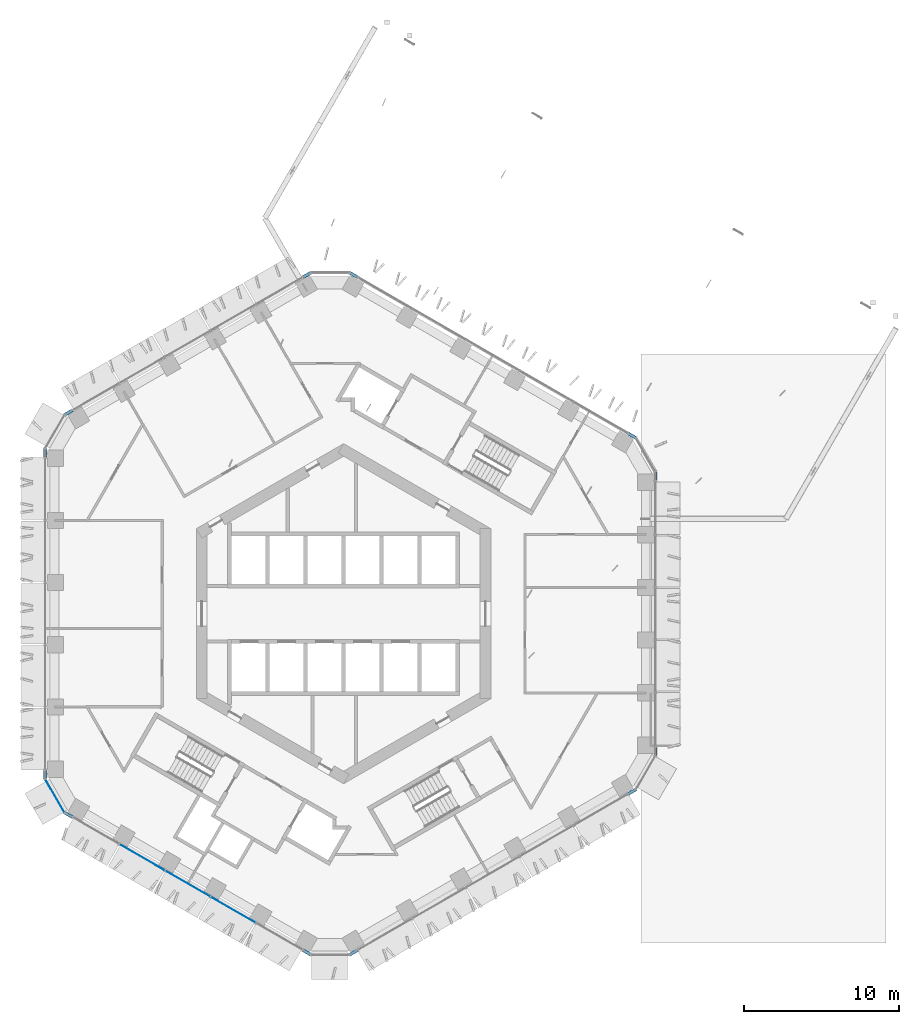
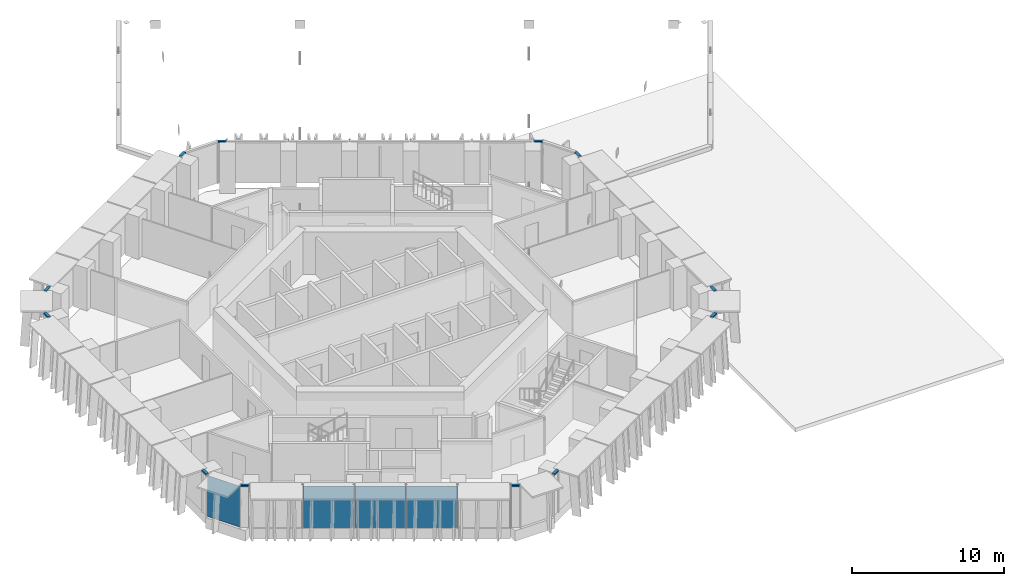
# One storey, part 8 of 25: 12 members, 4 plates, 7 elements without a shape of their own.
"""IFC4 building model written with IfcOpenShell, lengths in metres."""

from ifc_helpers import new_model, si_unit, direction, frame, origin, origin_2d, place, context, subcontext, project, spatial, rectangle, extrude, material, layer, layer_set, material_profile, profile_set, type_object, element, aggregate, save


model = new_model("IFC4")

# Units and contexts
model_context = context("Model", 3, precision=1e-05, world=origin(), true_north=direction((0.0, 1.0)))
body_context = subcontext(model_context, "Body", "Model", "MODEL_VIEW")
ifc_project = project(units=[si_unit("LENGTHUNIT", "METRE"), si_unit("AREAUNIT", "SQUARE_METRE"), si_unit("VOLUMEUNIT", "CUBIC_METRE"), si_unit("PLANEANGLEUNIT", "RADIAN"), si_unit("MASSUNIT", "GRAM", prefix="KILO")], contexts=[model_context])

# Site, building, storey
site_placement = place(None, origin())
site = spatial("IfcSite", under=ifc_project, at=site_placement, CompositionType="ELEMENT")
building_placement = place(site_placement, origin())
building = spatial("IfcBuilding", under=site, at=building_placement, Name="Ayvan Gate Tower", CompositionType="ELEMENT")
storey_placement = place(building_placement, frame((0.0, 0.0, 132.5)))
storey = spatial("IfcBuildingStorey", under=building, at=storey_placement, Name="L35", CompositionType="ELEMENT", Elevation=132.5)

# Curtain wall, members
ifc_material_1 = material(Name="Bronze anodised aluminium", Category="aluminium")
ifc_layer_1 = layer(ifc_material_1, 0.199951171875)
ifc_layer_set_1 = layer_set([ifc_layer_1], Name="Bronze anodised aluminium")
curtain_wall_type_1 = type_object("IfcCurtainWallType", Name="Stick curtain wall CW-6", PredefinedType="NOTDEFINED", material=ifc_layer_set_1)
curtain_wall_1_placement = place(storey_placement, origin())
curtain_wall_1 = element("IfcCurtainWall", 1, at=curtain_wall_1_placement, inside=storey, type_object=curtain_wall_type_1, Name="Stick curtain wall CW-6 L35", PredefinedType="NOTDEFINED")
ifc_material_profile = material_profile(ifc_material_1, rectangle(XDim=0.199951171875, YDim=0.1201171875, at=origin_2d()), Name="Stick curtain wall CW-6 transom 200 x 120")
ifc_profile_set = profile_set([ifc_material_profile], Name="Bronze anodised aluminium")
member_type = type_object("IfcMemberType", Name="Stick curtain wall CW-6 transom 200 x 120", PredefinedType="USERDEFINED", material=ifc_profile_set)
member_1_placement = place(storey_placement, frame((-17.507080078125, 13.114013671875, 3.340087890625), z_axis=(-0.865912065108, -0.500196256984, 0.0), x_axis=(0.500196256984, -0.865912065108, 0.0)))
member_1 = element("IfcMember", 2, at=member_1_placement, type_object=member_type, Name="CW-6 transom 1", ObjectType="TRANSOM", PredefinedType="USERDEFINED", context=body_context, shape_type="SweptSolid", body=[
    extrude(rectangle(XDim=0.199951171875, YDim=0.1201171875, at=origin_2d()), origin(), (0.0, 0.0, 1.0), 0.550048828125),
])
member_2_placement = place(storey_placement, frame((-19.248291015625, 10.64794921875, 3.340087890625), z_axis=(0.0, -1.0, 0.0), x_axis=(1.0, 0.0, 0.0)))
member_2 = element("IfcMember", 3, at=member_2_placement, type_object=member_type, Name="CW-6 transom 2", ObjectType="TRANSOM", PredefinedType="USERDEFINED", context=body_context, shape_type="SweptSolid", body=[
    extrude(rectangle(XDim=0.199951171875, YDim=0.1201171875, at=origin_2d()), origin(), (0.0, 0.0, 1.0), 0.5498046875),
])
aggregate(curtain_wall_1, [member_1, member_2])

curtain_wall_2_placement = place(storey_placement, origin())
curtain_wall_2 = element("IfcCurtainWall", 4, at=curtain_wall_2_placement, inside=storey, type_object=curtain_wall_type_1, Name="Stick curtain wall CW-6 L35", PredefinedType="NOTDEFINED")
member_3_placement = place(storey_placement, frame((-19.248291015625, -10.09814453125, 3.340087890625), z_axis=(0.0, -1.0, 0.0), x_axis=(1.0, 0.0, 0.0)))
member_3 = element("IfcMember", 5, at=member_3_placement, type_object=member_type, Name="CW-6 transom 1", ObjectType="TRANSOM", PredefinedType="USERDEFINED", context=body_context, shape_type="SweptSolid", body=[
    extrude(rectangle(XDim=0.199951171875, YDim=0.1201171875, at=origin_2d()), origin(), (0.0, 0.0, 1.0), 0.5498046875),
])
member_4_placement = place(storey_placement, frame((-17.9833984375, -12.8388671875, 3.340087890625), z_axis=(0.865912065108, -0.500196256984, 0.0), x_axis=(0.500196256984, 0.865912065108, 0.0)))
member_4 = element("IfcMember", 6, at=member_4_placement, type_object=member_type, Name="CW-6 transom 2", ObjectType="TRANSOM", PredefinedType="USERDEFINED", context=body_context, shape_type="SweptSolid", body=[
    extrude(rectangle(XDim=0.199951171875, YDim=0.1201171875, at=origin_2d()), origin(), (0.0, 0.0, 1.0), 0.550048828125),
])

curtain_wall_3_placement = place(storey_placement, origin())
curtain_wall_3 = element("IfcCurtainWall", 7, at=curtain_wall_3_placement, inside=storey, type_object=curtain_wall_type_1, Name="Stick curtain wall CW-6 L35", PredefinedType="NOTDEFINED")
member_5_placement = place(storey_placement, frame((-2.603515625, -21.718505859375, 3.340087890625), z_axis=(0.865912065108, -0.500196256984, 0.0), x_axis=(0.500196256984, 0.865912065108, 0.0)))
member_5 = element("IfcMember", 8, at=member_5_placement, type_object=member_type, Name="CW-6 transom 1", ObjectType="TRANSOM", PredefinedType="USERDEFINED", context=body_context, shape_type="SweptSolid", body=[
    extrude(rectangle(XDim=0.199951171875, YDim=0.1201171875, at=origin_2d()), origin(), (0.0, 0.0, 1.0), 0.550048828125),
])
member_6_placement = place(storey_placement, frame((0.402587890625, -21.99365234375, 3.340087890625), z_axis=(0.865912065108, 0.500196256984, 0.0), x_axis=(-0.500196256984, 0.865912065108, 0.0)))
member_6 = element("IfcMember", 9, at=member_6_placement, type_object=member_type, Name="CW-6 transom 2", ObjectType="TRANSOM", PredefinedType="USERDEFINED", context=body_context, shape_type="SweptSolid", body=[
    extrude(rectangle(XDim=0.199951171875, YDim=0.1201171875, at=origin_2d()), origin(), (0.0, 0.0, 1.0), 0.550048828125),
])
aggregate(curtain_wall_3, [member_5, member_6])

curtain_wall_4_placement = place(storey_placement, origin())
curtain_wall_4 = element("IfcCurtainWall", 10, at=curtain_wall_4_placement, inside=storey, type_object=curtain_wall_type_1, Name="Stick curtain wall CW-6 L35", PredefinedType="NOTDEFINED")
member_7_placement = place(storey_placement, frame((18.369384765625, -11.620361328125, 3.340087890625), z_axis=(0.866104278045, 0.499863360881, 0.0), x_axis=(-0.499863360881, 0.866104278045, 0.0)))
member_7 = element("IfcMember", 11, at=member_7_placement, type_object=member_type, Name="CW-6 transom 1", ObjectType="TRANSOM", PredefinedType="USERDEFINED", context=body_context, shape_type="SweptSolid", body=[
    extrude(rectangle(XDim=0.199951171875, YDim=0.1201171875, at=origin_2d()), origin(), (0.0, 0.0, 1.0), 0.550048828125),
])
member_8_placement = place(storey_placement, frame((20.110595703125, -9.154541015625, 3.340087890625), z_axis=(0.0, 1.0, 0.0), x_axis=(-1.0, 0.0, 0.0)))
member_8 = element("IfcMember", 12, at=member_8_placement, type_object=member_type, Name="CW-6 transom 2", ObjectType="TRANSOM", PredefinedType="USERDEFINED", context=body_context, shape_type="SweptSolid", body=[
    extrude(rectangle(XDim=0.199951171875, YDim=0.1201171875, at=origin_2d()), origin(), (0.0, 0.0, 1.0), 0.550048828125),
])
aggregate(curtain_wall_4, [member_7, member_8])

curtain_wall_5_placement = place(storey_placement, origin())
curtain_wall_5 = element("IfcCurtainWall", 13, at=curtain_wall_5_placement, inside=storey, type_object=curtain_wall_type_1, Name="Stick curtain wall CW-6 L35", PredefinedType="NOTDEFINED")
member_9_placement = place(storey_placement, frame((20.110595703125, 8.6044921875, 3.340087890625), z_axis=(0.0, 1.0, 0.0), x_axis=(-1.0, 0.0, 0.0)))
member_9 = element("IfcMember", 14, at=member_9_placement, type_object=member_type, Name="CW-6 transom 1", ObjectType="TRANSOM", PredefinedType="USERDEFINED", context=body_context, shape_type="SweptSolid", body=[
    extrude(rectangle(XDim=0.199951171875, YDim=0.1201171875, at=origin_2d()), origin(), (0.0, 0.0, 1.0), 0.550048828125),
])
member_10_placement = place(storey_placement, frame((18.845703125, 11.345458984375, 3.340087890625), z_axis=(-0.866104278045, 0.499863360881, 0.0), x_axis=(-0.499863360881, -0.866104278045, 0.0)))
member_10 = element("IfcMember", 15, at=member_10_placement, type_object=member_type, Name="CW-6 transom 3", ObjectType="TRANSOM", PredefinedType="USERDEFINED", context=body_context, shape_type="SweptSolid", body=[
    extrude(rectangle(XDim=0.199951171875, YDim=0.1201171875, at=origin_2d()), origin(), (0.0, 0.0, 1.0), 0.550048828125),
])
aggregate(curtain_wall_5, [member_9, member_10])

curtain_wall_6_placement = place(storey_placement, origin())
curtain_wall_6 = element("IfcCurtainWall", 16, at=curtain_wall_6_placement, inside=storey, type_object=curtain_wall_type_1, Name="Stick curtain wall CW-6 L35", PredefinedType="NOTDEFINED")
member_11_placement = place(storey_placement, frame((0.87890625, 21.718505859375, 3.340087890625), z_axis=(-0.865912065108, 0.500196256984, 0.0), x_axis=(-0.500196256984, -0.865912065108, 0.0)))
member_11 = element("IfcMember", 17, at=member_11_placement, type_object=member_type, Name="CW-6 transom 1", ObjectType="TRANSOM", PredefinedType="USERDEFINED", context=body_context, shape_type="SweptSolid", body=[
    extrude(rectangle(XDim=0.199951171875, YDim=0.1201171875, at=origin_2d()), origin(), (0.0, 0.0, 1.0), 0.550048828125),
])
member_12_placement = place(storey_placement, frame((-2.127197265625, 21.99365234375, 3.340087890625), z_axis=(-0.865912065108, -0.500196256984, 0.0), x_axis=(0.500196256984, -0.865912065108, 0.0)))
member_12 = element("IfcMember", 18, at=member_12_placement, type_object=member_type, Name="CW-6 transom 3", ObjectType="TRANSOM", PredefinedType="USERDEFINED", context=body_context, shape_type="SweptSolid", body=[
    extrude(rectangle(XDim=0.199951171875, YDim=0.1201171875, at=origin_2d()), origin(), (0.0, 0.0, 1.0), 0.550048828125),
])
aggregate(curtain_wall_6, [member_11, member_12])

# Curtain wall, plates
ifc_layer_2 = layer(ifc_material_1, 0.199951171875)
ifc_layer_set_2 = layer_set([ifc_layer_2], Name="Bronze anodised aluminium")
curtain_wall_type_2 = type_object("IfcCurtainWallType", Name="Stick curtain wall CW-1", PredefinedType="NOTDEFINED", material=ifc_layer_set_2)
curtain_wall_7_placement = place(storey_placement, origin())
curtain_wall_7 = element("IfcCurtainWall", 19, at=curtain_wall_7_placement, inside=storey, type_object=curtain_wall_type_2, Name="Stick curtain wall CW-1 L35", PredefinedType="NOTDEFINED")
ifc_material_2 = material(Name="Clear low-iron laminated glass", Category="glass")
ifc_layer_3 = layer(ifc_material_2, 0.028076171875)
ifc_layer_set_3 = layer_set([ifc_layer_3], Name="Clear low-iron laminated glass")
plate_type_1 = type_object("IfcPlateType", Name="Stick curtain wall CW-1 glass panel", PredefinedType="CURTAIN_PANEL", material=ifc_layer_set_3)
plate_1_placement = place(storey_placement, frame((-12.99560546875, -15.71875, 0.0), z_axis=(0.0, 0.0, 1.0), x_axis=(0.866025403784, -0.5, 0.0)))
plate_1 = element("IfcPlate", 20, at=plate_1_placement, type_object=plate_type_1, Name="CW-1 glass panel 2", PredefinedType="CURTAIN_PANEL", context=body_context, shape_type="SweptSolid", body=[
    extrude(rectangle(XDim=3.3349609375, YDim=0.028076171875, at=origin_2d()), origin(), (0.0, 0.0, 1.0), 3.280029296875),
])
plate_2_placement = place(storey_placement, frame((-10.055419921875, -17.416259765625, 0.0), z_axis=(0.0, 0.0, 1.0), x_axis=(0.866025403784, -0.5, 0.0)))
plate_2 = element("IfcPlate", 21, at=plate_2_placement, type_object=plate_type_1, Name="CW-1 glass panel 3", PredefinedType="CURTAIN_PANEL", context=body_context, shape_type="SweptSolid", body=[
    extrude(rectangle(XDim=3.3349609375, YDim=0.028076171875, at=origin_2d()), origin(), (0.0, 0.0, 1.0), 3.280029296875),
])
plate_3_placement = place(storey_placement, frame((-7.115234375, -19.11376953125, 0.0), z_axis=(0.0, 0.0, 1.0), x_axis=(0.866025403784, -0.5, 0.0)))
plate_3 = element("IfcPlate", 22, at=plate_3_placement, type_object=plate_type_1, Name="CW-1 glass panel 4", PredefinedType="CURTAIN_PANEL", context=body_context, shape_type="SweptSolid", body=[
    extrude(rectangle(XDim=3.3349609375, YDim=0.028076171875, at=origin_2d()), origin(), (0.0, 0.0, 1.0), 3.280029296875),
])
aggregate(curtain_wall_7, [plate_1, plate_2, plate_3])

# Plate
ifc_layer_4 = layer(ifc_material_2, 0.028076171875)
ifc_layer_set_4 = layer_set([ifc_layer_4], Name="Clear low-iron laminated glass")
plate_type_2 = type_object("IfcPlateType", Name="Stick curtain wall CW-6 glass panel", PredefinedType="CURTAIN_PANEL", material=ifc_layer_set_4)
plate_4_placement = place(storey_placement, frame((-18.626708984375, -11.749755859375, 0.0), z_axis=(0.0, 0.0, 1.0), x_axis=(0.5, -0.866025403784, 0.0)))
plate_4 = element("IfcPlate", 23, at=plate_4_placement, type_object=plate_type_2, Name="CW-6 glass panel 2", PredefinedType="CURTAIN_PANEL", context=body_context, shape_type="SweptSolid", body=[
    extrude(rectangle(XDim=2.4365234375, YDim=0.028076171875, at=origin_2d()), origin(), (0.0, 0.0, 1.0), 3.280029296875),
])

aggregate(curtain_wall_2, [member_3, member_4, plate_4])

save(model, "model.ifc")
